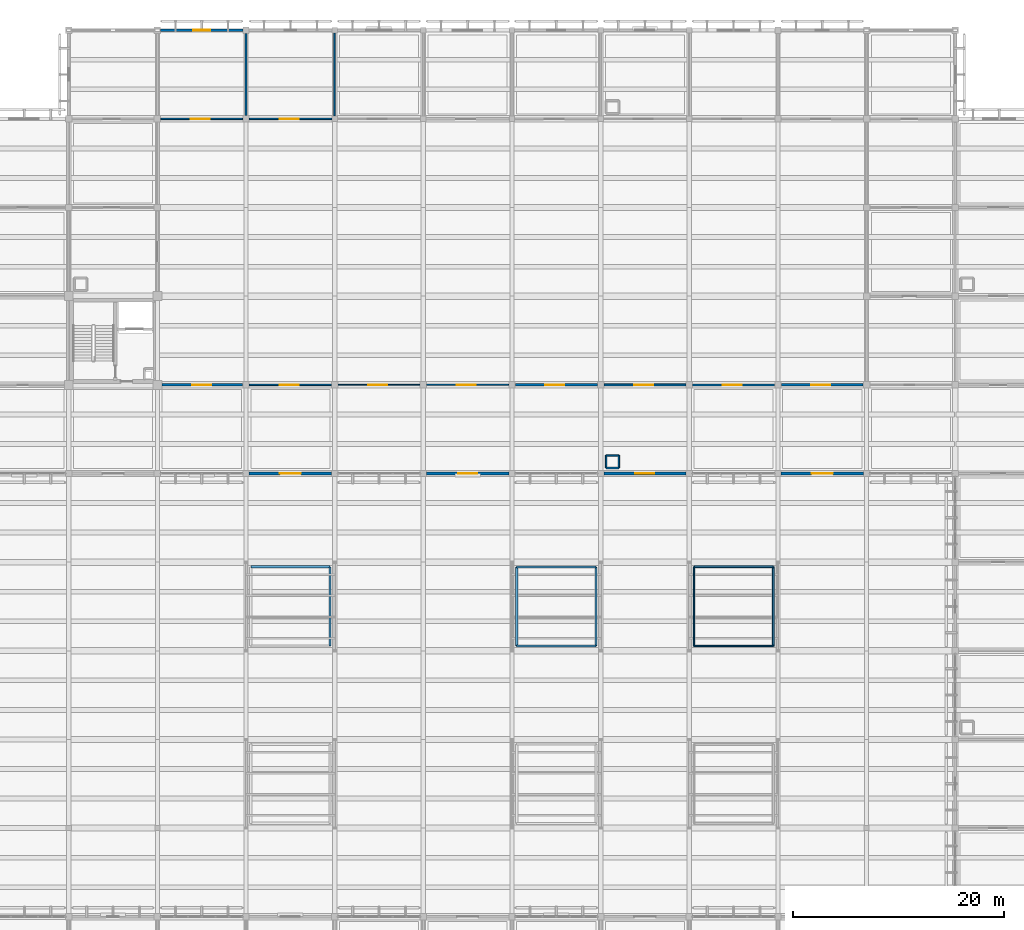
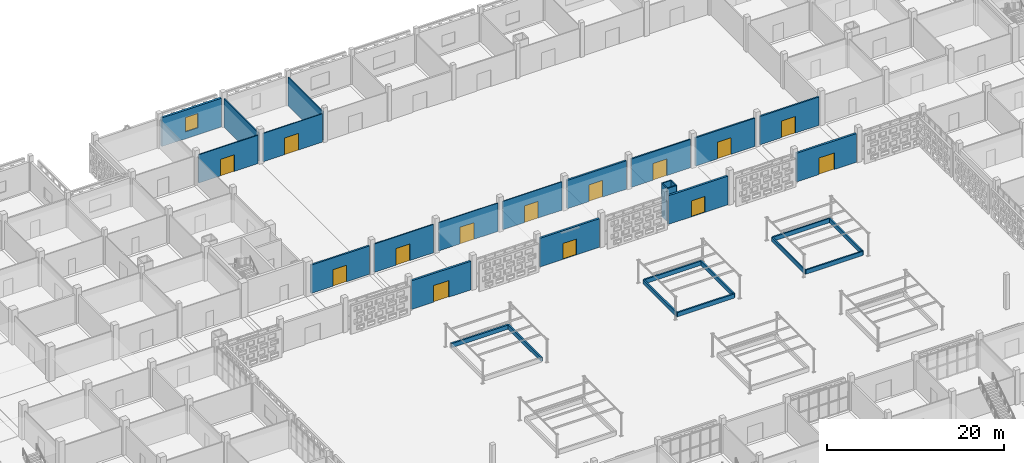
# One storey, part 66 of 129: 31 walls, 14 doors, 1 window, 15 openings.
"""IFC4 building model written with IfcOpenShell, lengths in metres."""

from ifc_helpers import new_model, si_unit, direction, frame, frame_2d, origin, place, context, subcontext, project, spatial, rectangle, extrude, material, layer, layer_set, type_object, element, fill, save


model = new_model("IFC4")

# Units and contexts
model_context = context("Model", 3, precision=1e-05, world=origin(), true_north=direction((0.0, 1.0)))
body_context = subcontext(model_context, "Body", "Model", "MODEL_VIEW")
ifc_project = project(units=[si_unit("LENGTHUNIT", "METRE"), si_unit("AREAUNIT", "SQUARE_METRE"), si_unit("VOLUMEUNIT", "CUBIC_METRE"), si_unit("PLANEANGLEUNIT", "RADIAN"), si_unit("MASSUNIT", "GRAM", prefix="KILO")], contexts=[model_context])

# Site, building, storey
site_placement = place(None, origin())
site = spatial("IfcSite", under=ifc_project, at=site_placement, CompositionType="ELEMENT")
building_placement = place(site_placement, origin())
building = spatial("IfcBuilding", under=site, at=building_placement, Name="Varnapada Polytechnic", CompositionType="ELEMENT")
storey_placement = place(building_placement, origin())
storey = spatial("IfcBuildingStorey", under=building, at=storey_placement, Name="L00", CompositionType="ELEMENT", Elevation=0.0)

# Walls
ifc_material_1 = material(Name="Autoclaved Aerated Concrete Block AAC-600", Category="concrete")
ifc_layer_1 = layer(ifc_material_1, 0.14990234375)
ifc_layer_set_1 = layer_set([ifc_layer_1], Name="Autoclaved Aerated Concrete Block AAC-600")
wall_type_1 = type_object("IfcWallType", Name="Interior Wall IW-02", PredefinedType="PARTITIONING", material=ifc_layer_set_1)
for number, where, z_axis, x_axis, name in (
    (1, (101.320068359375, 84.52001953125, 0.0), (0.0, 0.0, 1.0), (1.0, 0.0, 0.0), "L00 enclosed service riser wall (13,11) S"),
    (2, (102.52001953125, 84.52001953125, 0.0), (0.0, 0.0, 1.0), (0.0, 1.0, 0.0), "L00 enclosed service riser wall (13,11) E"),
    (3, (102.52001953125, 85.719970703125, 0.0), (0.0, 0.0, 1.0), (-1.0, 0.0, 0.0), "L00 enclosed service riser wall (13,11) N"),
    (4, (101.320068359375, 85.719970703125, 0.0), (0.0, 0.0, 1.0), (0.0, -1.0, 0.0), "L00 enclosed service riser wall (13,11) W"),
):
    element("IfcWall", number, at=place(storey_placement, frame(where, z_axis=z_axis, x_axis=x_axis)), inside=storey, type_object=wall_type_1, Name=name, PredefinedType="PARTITIONING", context=body_context, shape_type="SweptSolid", body=[
        extrude(rectangle(XDim=1.199951171875, YDim=0.14990234375, at=frame_2d((0.60009765625, 0.0))), origin(), (0.0, 0.0, 1.0), 4.5400390625),
    ])

# Wall, opening, door
wall_1_placement = place(storey_placement, frame((67.52001953125, 92.39990234375, 0.0), z_axis=(0.0, 0.0, 1.0), x_axis=(1.0, 0.0, 0.0)))
wall_1 = element("IfcWall", 5, at=wall_1_placement, inside=storey, type_object=wall_type_1, Name="L00 interior partition IW-L00-08-10-H", PredefinedType="PARTITIONING", context=body_context, shape_type="SweptSolid", body=[
    extrude(rectangle(XDim=7.760009765625, YDim=0.14990234375, at=frame_2d((3.8798828125, 0.0))), origin(), (0.0, 0.0, 1.0), 3.919921875),
])
opening_1_placement = place(wall_1_placement, frame((2.85009765625, 0.0, 0.0)))
opening_1 = element("IfcOpeningElement", 6, at=opening_1_placement, cuts=wall_1, Name="Opening D-877", PredefinedType="OPENING", context=body_context, shape_type="SweptSolid", body=[
    extrude(rectangle(XDim=1.800048828125, YDim=2.300048828125, at=frame_2d((0.89990234375, 1.14990234375))), frame((0.0, 0.0849609375, 0.0), z_axis=(0.0, -1.0, 0.0), x_axis=(1.0, 0.0, 0.0)), (0.0, 0.0, 1.0), 0.169921875),
])
ifc_material_2 = material(Name="Acoustic Double Timber Leaf", Category="wood")
door_type_1 = type_object("IfcDoorType", Name="Interior Door ID-04", OperationType="NOTDEFINED", PredefinedType="DOOR", material=ifc_material_2)
door_1_placement = place(opening_1_placement, origin())
door_1 = element("IfcDoor", 7, at=door_1_placement, inside=storey, type_object=door_type_1, Name="L00 interior room door D-877", OperationType="SINGLE_SWING_RIGHT", OverallHeight=2.300048828125, OverallWidth=1.800048828125, PredefinedType="DOOR", context=body_context, shape_type="SweptSolid", body=[
    extrude(rectangle(XDim=1.800048828125, YDim=2.300048828125, at=frame_2d((0.89990234375, 1.14990234375))), frame((0.0, 0.02490234375, 0.0), z_axis=(0.0, -1.0, 0.0), x_axis=(1.0, 0.0, 0.0)), (0.0, 0.0, 1.0), 0.050048828125),
])
fill(opening_1, door_1)

ifc_material_3 = material(Name="Gypsum Plasterboard Acoustic Partition")
ifc_layer_2 = layer(ifc_material_3, 0.125)
ifc_layer_set_2 = layer_set([ifc_layer_2], Name="Gypsum Plasterboard Acoustic Partition")
wall_type_2 = type_object("IfcWallType", Name="Interior Wall IW-03", PredefinedType="PARTITIONING", material=ifc_layer_set_2)
wall_2_placement = place(storey_placement, frame((67.52001953125, 117.60009765625, 0.0), z_axis=(0.0, 0.0, 1.0), x_axis=(1.0, 0.0, 0.0)))
wall_2 = element("IfcWall", 8, at=wall_2_placement, inside=storey, type_object=wall_type_2, Name="L00 interior partition IW-L00-08-13-H", PredefinedType="PARTITIONING", context=body_context, shape_type="SweptSolid", body=[
    extrude(rectangle(XDim=7.81005859375, YDim=0.125, at=frame_2d((3.905029296875, 0.0))), origin(), (0.0, 0.0, 1.0), 3.919921875),
])
opening_2_placement = place(wall_2_placement, frame((2.85009765625, 0.0, 0.0)))
opening_2 = element("IfcOpeningElement", 9, at=opening_2_placement, cuts=wall_2, Name="Opening D-878", PredefinedType="OPENING", context=body_context, shape_type="SweptSolid", body=[
    extrude(rectangle(XDim=1.800048828125, YDim=2.300048828125, at=frame_2d((0.89990234375, 1.14990234375))), frame((0.0, 0.072509765625, 0.0), z_axis=(0.0, -1.0, 0.0), x_axis=(1.0, 0.0, 0.0)), (0.0, 0.0, 1.0), 0.14501953125),
])
door_2_placement = place(opening_2_placement, frame((1.800048828125, 0.0, 0.0), z_axis=(0.0, 0.0, 1.0), x_axis=(-1.0, 0.0, 0.0)))
door_2 = element("IfcDoor", 10, at=door_2_placement, inside=storey, type_object=door_type_1, Name="L00 interior room door D-878", OperationType="SINGLE_SWING_LEFT", OverallHeight=2.300048828125, OverallWidth=1.800048828125, PredefinedType="DOOR", context=body_context, shape_type="SweptSolid", body=[
    extrude(rectangle(XDim=1.800048828125, YDim=2.300048828125, at=frame_2d((0.89990234375, 1.14990234375))), frame((0.0, 0.02490234375, 0.0), z_axis=(0.0, -1.0, 0.0), x_axis=(1.0, 0.0, 0.0)), (0.0, 0.0, 1.0), 0.050048828125),
])
fill(opening_2, door_2)

# Wall
ifc_material_4 = material(Name="Moisture-Resistant Cement Board Partition")
ifc_layer_3 = layer(ifc_material_4, 0.139892578125)
ifc_layer_set_3 = layer_set([ifc_layer_3], Name="Moisture-Resistant Cement Board Partition")
wall_type_3 = type_object("IfcWallType", Name="Interior Wall IW-04", PredefinedType="PARTITIONING", material=ifc_layer_set_3)
wall_3_placement = place(storey_placement, frame((75.60009765625, 117.8701171875, 0.0), z_axis=(0.0, 0.0, 1.0), x_axis=(0.0, 1.0, 0.0)))
element("IfcWall", 11, at=wall_3_placement, inside=storey, type_object=wall_type_3, Name="L00 interior partition IW-L00-08-14-V", PredefinedType="PARTITIONING", context=body_context, shape_type="SweptSolid", body=[
    extrude(rectangle(XDim=7.85986328125, YDim=0.139892578125, at=frame_2d((3.929931640625, 0.0))), origin(), (0.0, 0.0, 1.0), 3.919921875),
])

# Wall, opening, door
ifc_material_5 = material(Name="Acoustic Double-Stud Studio Partition")
ifc_layer_4 = layer(ifc_material_5, 0.179931640625)
ifc_layer_set_4 = layer_set([ifc_layer_4], Name="Acoustic Double-Stud Studio Partition")
wall_type_4 = type_object("IfcWallType", Name="Interior Wall IW-06", PredefinedType="PARTITIONING", material=ifc_layer_set_4)
wall_4_placement = place(storey_placement, frame((101.1201171875, 92.39990234375, 0.0), z_axis=(0.0, 0.0, 1.0), x_axis=(1.0, 0.0, 0.0)))
wall_4 = element("IfcWall", 12, at=wall_4_placement, inside=storey, type_object=wall_type_4, Name="L00 interior partition IW-L00-12-10-H", PredefinedType="PARTITIONING", context=body_context, shape_type="SweptSolid", body=[
    extrude(rectangle(XDim=7.759765625, YDim=0.179931640625, at=frame_2d((3.8798828125, 0.0))), origin(), (0.0, 0.0, 1.0), 3.919921875),
])
opening_3_placement = place(wall_4_placement, frame((2.85009765625, 0.0, 0.0)))
opening_3 = element("IfcOpeningElement", 13, at=opening_3_placement, cuts=wall_4, Name="Opening D-889", PredefinedType="OPENING", context=body_context, shape_type="SweptSolid", body=[
    extrude(rectangle(XDim=1.800048828125, YDim=2.300048828125, at=frame_2d((0.89990234375, 1.14990234375))), frame((0.0, 0.099853515625, 0.0), z_axis=(0.0, -1.0, 0.0), x_axis=(1.0, 0.0, 0.0)), (0.0, 0.0, 1.0), 0.199951171875),
])
door_3_placement = place(opening_3_placement, origin())
door_3 = element("IfcDoor", 14, at=door_3_placement, inside=storey, type_object=door_type_1, Name="L00 interior room door D-889", OperationType="SINGLE_SWING_RIGHT", OverallHeight=2.300048828125, OverallWidth=1.800048828125, PredefinedType="DOOR", context=body_context, shape_type="SweptSolid", body=[
    extrude(rectangle(XDim=1.800048828125, YDim=2.300048828125, at=frame_2d((0.89990234375, 1.14990234375))), frame((0.0, 0.02490234375, 0.0), z_axis=(0.0, -1.0, 0.0), x_axis=(1.0, 0.0, 0.0)), (0.0, 0.0, 1.0), 0.050048828125),
])
fill(opening_3, door_3)

ifc_material_6 = material(Name="Glazed Timber-Framed Studio Screen", Category="wood")
ifc_layer_5 = layer(ifc_material_6, 0.110107421875)
ifc_layer_set_5 = layer_set([ifc_layer_5], Name="Glazed Timber-Framed Studio Screen")
wall_type_5 = type_object("IfcWallType", Name="Interior Wall IW-07", PredefinedType="PARTITIONING", material=ifc_layer_set_5)
wall_5_placement = place(storey_placement, frame((75.919921875, 92.39990234375, 0.0), z_axis=(0.0, 0.0, 1.0), x_axis=(1.0, 0.0, 0.0)))
wall_5 = element("IfcWall", 15, at=wall_5_placement, inside=storey, type_object=wall_type_5, Name="L00 interior partition IW-L00-09-10-H", PredefinedType="PARTITIONING", context=body_context, shape_type="SweptSolid", body=[
    extrude(rectangle(XDim=7.760009765625, YDim=0.110107421875, at=frame_2d((3.8798828125, 0.0))), origin(), (0.0, 0.0, 1.0), 3.919921875),
])
opening_4_placement = place(wall_5_placement, frame((2.85009765625, 0.0, 0.0)))
opening_4 = element("IfcOpeningElement", 16, at=opening_4_placement, cuts=wall_5, Name="Opening D-879", PredefinedType="OPENING", context=body_context, shape_type="SweptSolid", body=[
    extrude(rectangle(XDim=1.800048828125, YDim=2.300048828125, at=frame_2d((0.89990234375, 1.14990234375))), frame((0.0, 0.06494140625, 0.0), z_axis=(0.0, -1.0, 0.0), x_axis=(1.0, 0.0, 0.0)), (0.0, 0.0, 1.0), 0.130126953125),
])
door_4_placement = place(opening_4_placement, origin())
door_4 = element("IfcDoor", 17, at=door_4_placement, inside=storey, type_object=door_type_1, Name="L00 interior room door D-879", OperationType="SINGLE_SWING_RIGHT", OverallHeight=2.300048828125, OverallWidth=1.800048828125, PredefinedType="DOOR", context=body_context, shape_type="SweptSolid", body=[
    extrude(rectangle(XDim=1.800048828125, YDim=2.300048828125, at=frame_2d((0.89990234375, 1.14990234375))), frame((0.0, 0.02490234375, 0.0), z_axis=(0.0, -1.0, 0.0), x_axis=(1.0, 0.0, 0.0)), (0.0, 0.0, 1.0), 0.050048828125),
])
fill(opening_4, door_4)

ifc_material_7 = material(Name="Insulated Masonry Plant Room Wall", Category="masonry")
ifc_layer_6 = layer(ifc_material_7, 0.18994140625)
ifc_layer_set_6 = layer_set([ifc_layer_6], Name="Insulated Masonry Plant Room Wall")
wall_type_6 = type_object("IfcWallType", Name="Interior Wall IW-11", PredefinedType="PARTITIONING", material=ifc_layer_set_6)
wall_6_placement = place(storey_placement, frame((109.52001953125, 92.39990234375, 0.0), z_axis=(0.0, 0.0, 1.0), x_axis=(1.0, 0.0, 0.0)))
wall_6 = element("IfcWall", 18, at=wall_6_placement, inside=storey, type_object=wall_type_6, Name="L00 interior partition IW-L00-13-10-H", PredefinedType="PARTITIONING", context=body_context, shape_type="SweptSolid", body=[
    extrude(rectangle(XDim=7.760009765625, YDim=0.18994140625, at=frame_2d((3.8798828125, 0.0))), origin(), (0.0, 0.0, 1.0), 3.919921875),
])
opening_5_placement = place(wall_6_placement, frame((2.85009765625, 0.0, 0.0)))
opening_5 = element("IfcOpeningElement", 19, at=opening_5_placement, cuts=wall_6, Name="Opening D-891", PredefinedType="OPENING", context=body_context, shape_type="SweptSolid", body=[
    extrude(rectangle(XDim=1.800048828125, YDim=2.300048828125, at=frame_2d((0.89990234375, 1.14990234375))), frame((0.0, 0.10498046875, 0.0), z_axis=(0.0, -1.0, 0.0), x_axis=(1.0, 0.0, 0.0)), (0.0, 0.0, 1.0), 0.2099609375),
])
door_5_placement = place(opening_5_placement, origin())
door_5 = element("IfcDoor", 20, at=door_5_placement, inside=storey, type_object=door_type_1, Name="L00 interior room door D-891", OperationType="SINGLE_SWING_RIGHT", OverallHeight=2.300048828125, OverallWidth=1.800048828125, PredefinedType="DOOR", context=body_context, shape_type="SweptSolid", body=[
    extrude(rectangle(XDim=1.800048828125, YDim=2.300048828125, at=frame_2d((0.89990234375, 1.14990234375))), frame((0.0, 0.02490234375, 0.0), z_axis=(0.0, -1.0, 0.0), x_axis=(1.0, 0.0, 0.0)), (0.0, 0.0, 1.0), 0.050048828125),
])
fill(opening_5, door_5)

ifc_material_8 = material(Name="Timber-Stud Studio Critique Partition", Category="wood")
ifc_layer_7 = layer(ifc_material_8, 0.114990234375)
ifc_layer_set_7 = layer_set([ifc_layer_7], Name="Timber-Stud Studio Critique Partition")
wall_type_7 = type_object("IfcWallType", Name="Interior Wall IW-12", PredefinedType="PARTITIONING", material=ifc_layer_set_7)
wall_7_placement = place(storey_placement, frame((84.320068359375, 92.39990234375, 0.0), z_axis=(0.0, 0.0, 1.0), x_axis=(1.0, 0.0, 0.0)))
wall_7 = element("IfcWall", 21, at=wall_7_placement, inside=storey, type_object=wall_type_7, Name="L00 interior partition IW-L00-10-10-H", PredefinedType="PARTITIONING", context=body_context, shape_type="SweptSolid", body=[
    extrude(rectangle(XDim=7.760009765625, YDim=0.114990234375, at=frame_2d((3.8798828125, 0.0))), origin(), (0.0, 0.0, 1.0), 3.919921875),
])
opening_6_placement = place(wall_7_placement, frame((2.85009765625, 0.0, 0.0)))
opening_6 = element("IfcOpeningElement", 22, at=opening_6_placement, cuts=wall_7, Name="Opening D-882", PredefinedType="OPENING", context=body_context, shape_type="SweptSolid", body=[
    extrude(rectangle(XDim=1.800048828125, YDim=2.300048828125, at=frame_2d((0.89990234375, 1.14990234375))), frame((0.0, 0.0673828125, 0.0), z_axis=(0.0, -1.0, 0.0), x_axis=(1.0, 0.0, 0.0)), (0.0, 0.0, 1.0), 0.135009765625),
])
door_6_placement = place(opening_6_placement, origin())
door_6 = element("IfcDoor", 23, at=door_6_placement, inside=storey, type_object=door_type_1, Name="L00 interior room door D-882", OperationType="SINGLE_SWING_LEFT", OverallHeight=2.300048828125, OverallWidth=1.800048828125, PredefinedType="DOOR", context=body_context, shape_type="SweptSolid", body=[
    extrude(rectangle(XDim=1.800048828125, YDim=2.300048828125, at=frame_2d((0.89990234375, 1.14990234375))), frame((0.0, 0.02490234375, 0.0), z_axis=(0.0, -1.0, 0.0), x_axis=(1.0, 0.0, 0.0)), (0.0, 0.0, 1.0), 0.050048828125),
])
fill(opening_6, door_6)

ifc_material_9 = material(Name="Heavy Acoustic Auditorium Baffle Wall")
ifc_layer_8 = layer(ifc_material_9, 0.219970703125)
ifc_layer_set_8 = layer_set([ifc_layer_8], Name="Heavy Acoustic Auditorium Baffle Wall")
wall_type_8 = type_object("IfcWallType", Name="Interior Wall IW-13", PredefinedType="PARTITIONING", material=ifc_layer_set_8)
wall_8_placement = place(storey_placement, frame((59.2451171875, 92.39990234375, 0.0), z_axis=(0.0, 0.0, 1.0), x_axis=(1.0, 0.0, 0.0)))
wall_8 = element("IfcWall", 24, at=wall_8_placement, inside=storey, type_object=wall_type_8, Name="L00 interior partition IW-L00-07-10-H", PredefinedType="PARTITIONING", context=body_context, shape_type="SweptSolid", body=[
    extrude(rectangle(XDim=7.634765625, YDim=0.219970703125, at=frame_2d((3.8173828125, 0.0))), origin(), (0.0, 0.0, 1.0), 3.919921875),
])
opening_7_placement = place(wall_8_placement, frame((2.85009765625, 0.0, 0.0)))
opening_7 = element("IfcOpeningElement", 25, at=opening_7_placement, cuts=wall_8, Name="Opening D-873", PredefinedType="OPENING", context=body_context, shape_type="SweptSolid", body=[
    extrude(rectangle(XDim=1.800048828125, YDim=2.300048828125, at=frame_2d((0.89990234375, 1.14990234375))), frame((0.0, 0.119873046875, 0.0), z_axis=(0.0, -1.0, 0.0), x_axis=(1.0, 0.0, 0.0)), (0.0, 0.0, 1.0), 0.239990234375),
])
door_7_placement = place(opening_7_placement, origin())
door_7 = element("IfcDoor", 26, at=door_7_placement, inside=storey, type_object=door_type_1, Name="L00 interior room door D-873", OperationType="SINGLE_SWING_RIGHT", OverallHeight=2.300048828125, OverallWidth=1.800048828125, PredefinedType="DOOR", context=body_context, shape_type="SweptSolid", body=[
    extrude(rectangle(XDim=1.800048828125, YDim=2.300048828125, at=frame_2d((0.89990234375, 1.14990234375))), frame((0.0, 0.02490234375, 0.0), z_axis=(0.0, -1.0, 0.0), x_axis=(1.0, 0.0, 0.0)), (0.0, 0.0, 1.0), 0.050048828125),
])
fill(opening_7, door_7)

ifc_material_10 = material(Name="Ceramic-Tiled Wet Laboratory Wall")
ifc_layer_9 = layer(ifc_material_10, 0.14501953125)
ifc_layer_set_9 = layer_set([ifc_layer_9], Name="Ceramic-Tiled Wet Laboratory Wall")
wall_type_9 = type_object("IfcWallType", Name="Interior Wall IW-14", PredefinedType="PARTITIONING", material=ifc_layer_set_9)
wall_9_placement = place(storey_placement, frame((59.1201171875, 117.60009765625, 0.0), z_axis=(0.0, 0.0, 1.0), x_axis=(1.0, 0.0, 0.0)))
wall_9 = element("IfcWall", 27, at=wall_9_placement, inside=storey, type_object=wall_type_9, Name="L00 interior partition IW-L00-07-13-H", PredefinedType="PARTITIONING", context=body_context, shape_type="SweptSolid", body=[
    extrude(rectangle(XDim=7.759765625, YDim=0.14501953125, at=frame_2d((3.8798828125, 0.0))), origin(), (0.0, 0.0, 1.0), 3.919921875),
])
opening_8_placement = place(wall_9_placement, frame((2.85009765625, 0.0, 0.0)))
opening_8 = element("IfcOpeningElement", 28, at=opening_8_placement, cuts=wall_9, Name="Opening D-874", PredefinedType="OPENING", context=body_context, shape_type="SweptSolid", body=[
    extrude(rectangle(XDim=1.800048828125, YDim=2.300048828125, at=frame_2d((0.89990234375, 1.14990234375))), frame((0.0, 0.08251953125, 0.0), z_axis=(0.0, -1.0, 0.0), x_axis=(1.0, 0.0, 0.0)), (0.0, 0.0, 1.0), 0.1650390625),
])
door_8_placement = place(opening_8_placement, origin())
door_8 = element("IfcDoor", 29, at=door_8_placement, inside=storey, type_object=door_type_1, Name="L00 interior room door D-874", OperationType="SINGLE_SWING_LEFT", OverallHeight=2.300048828125, OverallWidth=1.800048828125, PredefinedType="DOOR", context=body_context, shape_type="SweptSolid", body=[
    extrude(rectangle(XDim=1.800048828125, YDim=2.300048828125, at=frame_2d((0.89990234375, 1.14990234375))), frame((0.0, 0.02490234375, 0.0), z_axis=(0.0, -1.0, 0.0), x_axis=(1.0, 0.0, 0.0)), (0.0, 0.0, 1.0), 0.050048828125),
])
fill(opening_8, door_8)

# Wall
ifc_material_11 = material(Name="Perforated Timber-Lined Seminar Wall", Category="wood")
ifc_layer_10 = layer(ifc_material_11, 0.155029296875)
ifc_layer_set_10 = layer_set([ifc_layer_10], Name="Perforated Timber-Lined Seminar Wall")
wall_type_10 = type_object("IfcWallType", Name="Interior Wall IW-15", PredefinedType="PARTITIONING", material=ifc_layer_set_10)
wall_10_placement = place(storey_placement, frame((67.199951171875, 117.919921875, 0.0), z_axis=(0.0, 0.0, 1.0), x_axis=(0.0, 1.0, 0.0)))
element("IfcWall", 30, at=wall_10_placement, inside=storey, type_object=wall_type_10, Name="L00 interior partition IW-L00-07-14-V", PredefinedType="PARTITIONING", context=body_context, shape_type="SweptSolid", body=[
    extrude(rectangle(XDim=7.760009765625, YDim=0.155029296875, at=frame_2d((3.8798828125, 0.0))), origin(), (0.0, 0.0, 1.0), 3.919921875),
])

# Wall, opening, door
ifc_material_12 = material(Name="Heavy Masonry Workshop Partition", Category="masonry")
ifc_layer_11 = layer(ifc_material_12, 0.2099609375)
ifc_layer_set_11 = layer_set([ifc_layer_11], Name="Heavy Masonry Workshop Partition")
wall_type_11 = type_object("IfcWallType", Name="Interior Wall IW-16", PredefinedType="PARTITIONING", material=ifc_layer_set_11)
wall_11_placement = place(storey_placement, frame((117.919921875, 92.39990234375, 0.0), z_axis=(0.0, 0.0, 1.0), x_axis=(1.0, 0.0, 0.0)))
wall_11 = element("IfcWall", 31, at=wall_11_placement, inside=storey, type_object=wall_type_11, Name="L00 interior partition IW-L00-14-10-H", PredefinedType="PARTITIONING", context=body_context, shape_type="SweptSolid", body=[
    extrude(rectangle(XDim=7.760009765625, YDim=0.2099609375, at=frame_2d((3.8798828125, 0.0))), origin(), (0.0, 0.0, 1.0), 3.919921875),
])
opening_9_placement = place(wall_11_placement, frame((2.85009765625, 0.0, 0.0)))
opening_9 = element("IfcOpeningElement", 32, at=opening_9_placement, cuts=wall_11, Name="Opening D-894", PredefinedType="OPENING", context=body_context, shape_type="SweptSolid", body=[
    extrude(rectangle(XDim=1.800048828125, YDim=2.300048828125, at=frame_2d((0.89990234375, 1.14990234375))), frame((0.0, 0.114990234375, 0.0), z_axis=(0.0, -1.0, 0.0), x_axis=(1.0, 0.0, 0.0)), (0.0, 0.0, 1.0), 0.22998046875),
])
door_9_placement = place(opening_9_placement, origin())
door_9 = element("IfcDoor", 33, at=door_9_placement, inside=storey, type_object=door_type_1, Name="L00 interior room door D-894", OperationType="SINGLE_SWING_LEFT", OverallHeight=2.300048828125, OverallWidth=1.800048828125, PredefinedType="DOOR", context=body_context, shape_type="SweptSolid", body=[
    extrude(rectangle(XDim=1.800048828125, YDim=2.300048828125, at=frame_2d((0.89990234375, 1.14990234375))), frame((0.0, 0.02490234375, 0.0), z_axis=(0.0, -1.0, 0.0), x_axis=(1.0, 0.0, 0.0)), (0.0, 0.0, 1.0), 0.050048828125),
])
fill(opening_9, door_9)

ifc_material_13 = material(Name="Double-Leaf Acoustic Lecture Wall")
ifc_layer_12 = layer(ifc_material_13, 0.235107421875)
ifc_layer_set_12 = layer_set([ifc_layer_12], Name="Double-Leaf Acoustic Lecture Wall")
wall_type_12 = type_object("IfcWallType", Name="Interior Wall IW-17", PredefinedType="PARTITIONING", material=ifc_layer_set_12)
wall_12_placement = place(storey_placement, frame((92.719970703125, 92.39990234375, 0.0), z_axis=(0.0, 0.0, 1.0), x_axis=(1.0, 0.0, 0.0)))
wall_12 = element("IfcWall", 34, at=wall_12_placement, inside=storey, type_object=wall_type_12, Name="L00 interior partition IW-L00-11-10-H", PredefinedType="PARTITIONING", context=body_context, shape_type="SweptSolid", body=[
    extrude(rectangle(XDim=7.760009765625, YDim=0.235107421875, at=frame_2d((3.8798828125, 0.0))), origin(), (0.0, 0.0, 1.0), 3.919921875),
])
opening_10_placement = place(wall_12_placement, frame((2.85009765625, 0.0, 0.0)))
opening_10 = element("IfcOpeningElement", 35, at=opening_10_placement, cuts=wall_12, Name="Opening D-885", PredefinedType="OPENING", context=body_context, shape_type="SweptSolid", body=[
    extrude(rectangle(XDim=1.800048828125, YDim=2.300048828125, at=frame_2d((0.89990234375, 1.14990234375))), frame((0.0, 0.12744140625, 0.0), z_axis=(0.0, -1.0, 0.0), x_axis=(1.0, 0.0, 0.0)), (0.0, 0.0, 1.0), 0.255126953125),
])
door_10_placement = place(opening_10_placement, origin())
door_10 = element("IfcDoor", 36, at=door_10_placement, inside=storey, type_object=door_type_1, Name="L00 interior room door D-885", OperationType="SINGLE_SWING_RIGHT", OverallHeight=2.300048828125, OverallWidth=1.800048828125, PredefinedType="DOOR", context=body_context, shape_type="SweptSolid", body=[
    extrude(rectangle(XDim=1.800048828125, YDim=2.300048828125, at=frame_2d((0.89990234375, 1.14990234375))), frame((0.0, 0.02490234375, 0.0), z_axis=(0.0, -1.0, 0.0), x_axis=(1.0, 0.0, 0.0)), (0.0, 0.0, 1.0), 0.050048828125),
])
fill(opening_10, door_10)

# Wall, opening, window
ifc_material_14 = material(Name="Precast concrete C40/50", Category="concrete")
ifc_layer_13 = layer(ifc_material_14, 0.280029296875)
ifc_layer_set_13 = layer_set([ifc_layer_13], Name="Precast concrete C40/50")
wall_type_13 = type_object("IfcWallType", Name="Wall EW-02", PredefinedType="SOLIDWALL", material=ifc_layer_set_13)
wall_13_placement = place(storey_placement, frame((59.10009765625, 126.0, 0.0), z_axis=(0.0, 0.0, 1.0), x_axis=(1.0, 0.0, 0.0)))
wall_13 = element("IfcWall", 37, at=wall_13_placement, inside=storey, type_object=wall_type_13, Name="L00 exterior wall EW-02 (47)", PredefinedType="SOLIDWALL", context=body_context, shape_type="SweptSolid", body=[
    extrude(rectangle(XDim=7.7998046875, YDim=0.280029296875, at=frame_2d((3.89990234375, 0.0))), origin(), (0.0, 0.0, 1.0), 3.9599609375),
])
opening_11_placement = place(wall_13_placement, frame((3.10009765625, 0.0, 0.949951171875)))
opening_11 = element("IfcOpeningElement", 38, at=opening_11_placement, cuts=wall_13, Name="Opening WN-08", PredefinedType="OPENING", context=body_context, shape_type="SweptSolid", body=[
    extrude(rectangle(XDim=1.60009765625, YDim=2.0, at=frame_2d((0.800048828125, 1.0))), frame((0.0, 0.14990234375, 0.0), z_axis=(0.0, -1.0, 0.0), x_axis=(1.0, 0.0, 0.0)), (0.0, 0.0, 1.0), 0.300048828125),
])
ifc_material_15 = material(Name="Double low-E laminated glass", Category="glass")
window_type = type_object("IfcWindowType", Name="Window WN-08", PartitioningType="SINGLE_PANEL", PredefinedType="WINDOW", material=ifc_material_15)
window_placement = place(opening_11_placement, origin())
window = element("IfcWindow", 39, at=window_placement, inside=storey, type_object=window_type, Name="L00 window WN-08 (29)", OverallHeight=2.0, OverallWidth=1.60009765625, PartitioningType="SINGLE_PANEL", PredefinedType="WINDOW", context=body_context, shape_type="SweptSolid", body=[
    extrude(rectangle(XDim=1.60009765625, YDim=2.0, at=frame_2d((0.800048828125, 1.0))), frame((0.0, 0.030029296875, 0.0), z_axis=(0.0, -1.0, 0.0), x_axis=(1.0, 0.0, 0.0)), (0.0, 0.0, 1.0), 0.06005859375),
])
fill(opening_11, window)

# Wall, opening, door
ifc_layer_14 = layer(ifc_material_14, 0.260009765625)
ifc_layer_set_14 = layer_set([ifc_layer_14], Name="Precast concrete C40/50")
wall_type_14 = type_object("IfcWallType", Name="Wall EW-03", PredefinedType="SOLIDWALL", material=ifc_layer_set_14)
wall_14_placement = place(storey_placement, frame((75.300048828125, 84.0, 0.0), z_axis=(0.0, 0.0, 1.0), x_axis=(-1.0, 0.0, 0.0)))
wall_14 = element("IfcWall", 40, at=wall_14_placement, inside=storey, type_object=wall_type_14, Name="L00 exterior wall EW-03 (50)", PredefinedType="SOLIDWALL", context=body_context, shape_type="SweptSolid", body=[
    extrude(rectangle(XDim=7.800048828125, YDim=0.260009765625, at=frame_2d((3.89990234375, 0.0))), origin(), (0.0, 0.0, 1.0), 3.9599609375),
])
opening_12_placement = place(wall_14_placement, frame((2.89990234375, 0.0, 0.0)))
opening_12 = element("IfcOpeningElement", 41, at=opening_12_placement, cuts=wall_14, Name="Opening D-012", PredefinedType="OPENING", context=body_context, shape_type="SweptSolid", body=[
    extrude(rectangle(XDim=2.0, YDim=2.300048828125, at=frame_2d((1.0, 1.14990234375))), frame((0.0, 0.139892578125, 0.0), z_axis=(0.0, -1.0, 0.0), x_axis=(1.0, 0.0, 0.0)), (0.0, 0.0, 1.0), 0.280029296875),
])
ifc_material_16 = material(Name="Anodised aluminium and laminated glass", Category="aluminium")
door_type_2 = type_object("IfcDoorType", Name="Exterior Door ED-01", OperationType="DOUBLE_DOOR_SINGLE_SWING", PredefinedType="DOOR", material=ifc_material_16)
door_11_placement = place(opening_12_placement, origin())
door_11 = element("IfcDoor", 42, at=door_11_placement, inside=storey, type_object=door_type_2, Name="L00 final pedestrian exit door D-012", OperationType="DOUBLE_DOOR_SINGLE_SWING", OverallHeight=2.300048828125, OverallWidth=2.0, PredefinedType="DOOR", context=body_context, shape_type="SweptSolid", body=[
    extrude(rectangle(XDim=2.0, YDim=2.300048828125, at=frame_2d((1.0, 1.14990234375))), frame((0.0, 0.02490234375, 0.0), z_axis=(0.0, -1.0, 0.0), x_axis=(1.0, 0.0, 0.0)), (0.0, 0.0, 1.0), 0.050048828125),
])
fill(opening_12, door_11)

wall_15_placement = place(storey_placement, frame((92.10009765625, 84.0, 0.0), z_axis=(0.0, 0.0, 1.0), x_axis=(-1.0, 0.0, 0.0)))
wall_15 = element("IfcWall", 43, at=wall_15_placement, inside=storey, type_object=wall_type_14, Name="L00 exterior wall EW-03 (58)", PredefinedType="SOLIDWALL", context=body_context, shape_type="SweptSolid", body=[
    extrude(rectangle(XDim=7.800048828125, YDim=0.260009765625, at=frame_2d((3.89990234375, 0.0))), origin(), (0.0, 0.0, 1.0), 3.9599609375),
])
opening_13_placement = place(wall_15_placement, frame((3.0, 0.0, 0.0)))
opening_13 = element("IfcOpeningElement", 44, at=opening_13_placement, cuts=wall_15, Name="Opening D-015", PredefinedType="OPENING", context=body_context, shape_type="SweptSolid", body=[
    extrude(rectangle(XDim=1.800048828125, YDim=2.199951171875, at=frame_2d((0.89990234375, 1.10009765625))), frame((0.0, 0.139892578125, 0.0), z_axis=(0.0, -1.0, 0.0), x_axis=(1.0, 0.0, 0.0)), (0.0, 0.0, 1.0), 0.280029296875),
])
ifc_material_17 = material(Name="Painted galvanized steel", Category="steel")
door_type_3 = type_object("IfcDoorType", Name="Exterior Door ED-02", OperationType="DOUBLE_DOOR_SINGLE_SWING", PredefinedType="DOOR", material=ifc_material_17)
door_12_placement = place(opening_13_placement, origin())
door_12 = element("IfcDoor", 45, at=door_12_placement, inside=storey, type_object=door_type_3, Name="L00 final pedestrian exit door D-015", OperationType="DOUBLE_DOOR_SINGLE_SWING", OverallHeight=2.199951171875, OverallWidth=1.800048828125, PredefinedType="DOOR", context=body_context, shape_type="SweptSolid", body=[
    extrude(rectangle(XDim=1.800048828125, YDim=2.199951171875, at=frame_2d((0.89990234375, 1.10009765625))), frame((0.0, 0.02490234375, 0.0), z_axis=(0.0, -1.0, 0.0), x_axis=(1.0, 0.0, 0.0)), (0.0, 0.0, 1.0), 0.050048828125),
])
fill(opening_13, door_12)

wall_16_placement = place(storey_placement, frame((108.89990234375, 84.0, 0.0), z_axis=(0.0, 0.0, 1.0), x_axis=(-1.0, 0.0, 0.0)))
wall_16 = element("IfcWall", 46, at=wall_16_placement, inside=storey, type_object=wall_type_14, Name="L00 exterior wall EW-03 (66)", PredefinedType="SOLIDWALL", context=body_context, shape_type="SweptSolid", body=[
    extrude(rectangle(XDim=7.7998046875, YDim=0.260009765625, at=frame_2d((3.89990234375, 0.0))), origin(), (0.0, 0.0, 1.0), 3.9599609375),
])
opening_14_placement = place(wall_16_placement, frame((3.0, 0.0, 0.0)))
opening_14 = element("IfcOpeningElement", 47, at=opening_14_placement, cuts=wall_16, Name="Opening D-019", PredefinedType="OPENING", context=body_context, shape_type="SweptSolid", body=[
    extrude(rectangle(XDim=1.800048828125, YDim=2.199951171875, at=frame_2d((0.89990234375, 1.10009765625))), frame((0.0, 0.139892578125, 0.0), z_axis=(0.0, -1.0, 0.0), x_axis=(1.0, 0.0, 0.0)), (0.0, 0.0, 1.0), 0.280029296875),
])
door_13_placement = place(opening_14_placement, origin())
door_13 = element("IfcDoor", 48, at=door_13_placement, inside=storey, type_object=door_type_3, Name="L00 final pedestrian exit door D-019", OperationType="DOUBLE_DOOR_SINGLE_SWING", OverallHeight=2.199951171875, OverallWidth=1.800048828125, PredefinedType="DOOR", context=body_context, shape_type="SweptSolid", body=[
    extrude(rectangle(XDim=1.800048828125, YDim=2.199951171875, at=frame_2d((0.89990234375, 1.10009765625))), frame((0.0, 0.02490234375, 0.0), z_axis=(0.0, -1.0, 0.0), x_axis=(1.0, 0.0, 0.0)), (0.0, 0.0, 1.0), 0.050048828125),
])
fill(opening_14, door_13)

wall_17_placement = place(storey_placement, frame((125.699951171875, 84.0, 0.0), z_axis=(0.0, 0.0, 1.0), x_axis=(-1.0, 0.0, 0.0)))
wall_17 = element("IfcWall", 49, at=wall_17_placement, inside=storey, type_object=wall_type_14, Name="L00 exterior wall EW-03 (74)", PredefinedType="SOLIDWALL", context=body_context, shape_type="SweptSolid", body=[
    extrude(rectangle(XDim=7.800048828125, YDim=0.260009765625, at=frame_2d((3.89990234375, 0.0))), origin(), (0.0, 0.0, 1.0), 3.9599609375),
])
opening_15_placement = place(wall_17_placement, frame((2.89990234375, 0.0, 0.0)))
opening_15 = element("IfcOpeningElement", 50, at=opening_15_placement, cuts=wall_17, Name="Opening D-022", PredefinedType="OPENING", context=body_context, shape_type="SweptSolid", body=[
    extrude(rectangle(XDim=2.0, YDim=2.300048828125, at=frame_2d((1.0, 1.14990234375))), frame((0.0, 0.139892578125, 0.0), z_axis=(0.0, -1.0, 0.0), x_axis=(1.0, 0.0, 0.0)), (0.0, 0.0, 1.0), 0.280029296875),
])
door_14_placement = place(opening_15_placement, origin())
door_14 = element("IfcDoor", 51, at=door_14_placement, inside=storey, type_object=door_type_2, Name="L00 final pedestrian exit door D-022", OperationType="DOUBLE_DOOR_SINGLE_SWING", OverallHeight=2.300048828125, OverallWidth=2.0, PredefinedType="DOOR", context=body_context, shape_type="SweptSolid", body=[
    extrude(rectangle(XDim=2.0, YDim=2.300048828125, at=frame_2d((1.0, 1.14990234375))), frame((0.0, 0.02490234375, 0.0), z_axis=(0.0, -1.0, 0.0), x_axis=(1.0, 0.0, 0.0)), (0.0, 0.0, 1.0), 0.050048828125),
])
fill(opening_15, door_14)

# Walls
ifc_layer_15 = layer(ifc_material_14, 0.219970703125)
ifc_layer_set_15 = layer_set([ifc_layer_15], Name="Precast concrete C40/50")
wall_type_15 = type_object("IfcWallType", Name="Wall PR-01", PredefinedType="PARAPET", material=ifc_layer_set_15)
for number, where, z_axis, x_axis, name in (
    (52, (75.14990234375, 67.64990234375, 0.0), (0.0, 0.0, 1.0), (0.0, 1.0, 0.0), "Courtyard planted garden planter kerb CT-BED-4.2"),
    (53, (75.14990234375, 75.14990234375, 0.0), (0.0, 0.0, 1.0), (-1.0, 0.0, 0.0), "Courtyard planted garden planter kerb CT-BED-4.3"),
):
    element("IfcWall", number, at=place(storey_placement, frame(where, z_axis=z_axis, x_axis=x_axis)), inside=storey, type_object=wall_type_15, Name=name, PredefinedType="PARAPET", context=body_context, shape_type="SweptSolid", body=[
        extrude(rectangle(XDim=7.5, YDim=0.219970703125, at=frame_2d((3.75, 0.0))), origin(), (0.0, 0.0, 1.0), 0.580078125),
    ])
ifc_layer_16 = layer(ifc_material_14, 0.199951171875)
ifc_layer_set_16 = layer_set([ifc_layer_16], Name="Precast concrete C40/50")
wall_type_16 = type_object("IfcWallType", Name="Wall PR-02", PredefinedType="PARAPET", material=ifc_layer_set_16)
for number, where, z_axis, x_axis, name in (
    (54, (92.85009765625, 67.64990234375, 0.0), (0.0, 0.0, 1.0), (1.0, 0.0, 0.0), "Courtyard planted garden planter kerb CT-BED-5.1"),
    (55, (100.35009765625, 67.64990234375, 0.0), (0.0, 0.0, 1.0), (0.0, 1.0, 0.0), "Courtyard planted garden planter kerb CT-BED-5.2"),
    (56, (100.35009765625, 75.14990234375, 0.0), (0.0, 0.0, 1.0), (-1.0, 0.0, 0.0), "Courtyard planted garden planter kerb CT-BED-5.3"),
    (57, (92.85009765625, 75.14990234375, 0.0), (0.0, 0.0, 1.0), (0.0, -1.0, 0.0), "Courtyard planted garden planter kerb CT-BED-5.4"),
):
    element("IfcWall", number, at=place(storey_placement, frame(where, z_axis=z_axis, x_axis=x_axis)), inside=storey, type_object=wall_type_16, Name=name, PredefinedType="PARAPET", context=body_context, shape_type="SweptSolid", body=[
        extrude(rectangle(XDim=7.5, YDim=0.199951171875, at=frame_2d((3.75, 0.0))), origin(), (0.0, 0.0, 1.0), 0.580078125),
    ])
ifc_layer_17 = layer(ifc_material_14, 0.179931640625)
ifc_layer_set_17 = layer_set([ifc_layer_17], Name="Precast concrete C40/50")
wall_type_17 = type_object("IfcWallType", Name="Wall PR-03", PredefinedType="PARAPET", material=ifc_layer_set_17)
for number, where, z_axis, x_axis, name in (
    (58, (109.64990234375, 67.64990234375, 0.0), (0.0, 0.0, 1.0), (1.0, 0.0, 0.0), "Courtyard planted garden planter kerb CT-BED-6.1"),
    (59, (117.14990234375, 67.64990234375, 0.0), (0.0, 0.0, 1.0), (0.0, 1.0, 0.0), "Courtyard planted garden planter kerb CT-BED-6.2"),
    (60, (117.14990234375, 75.14990234375, 0.0), (0.0, 0.0, 1.0), (-1.0, 0.0, 0.0), "Courtyard planted garden planter kerb CT-BED-6.3"),
    (61, (109.64990234375, 75.14990234375, 0.0), (0.0, 0.0, 1.0), (0.0, -1.0, 0.0), "Courtyard planted garden planter kerb CT-BED-6.4"),
):
    element("IfcWall", number, at=place(storey_placement, frame(where, z_axis=z_axis, x_axis=x_axis)), inside=storey, type_object=wall_type_17, Name=name, PredefinedType="PARAPET", context=body_context, shape_type="SweptSolid", body=[
        extrude(rectangle(XDim=7.5, YDim=0.179931640625, at=frame_2d((3.75, 0.0))), origin(), (0.0, 0.0, 1.0), 0.580078125),
    ])

save(model, "model.ifc")
